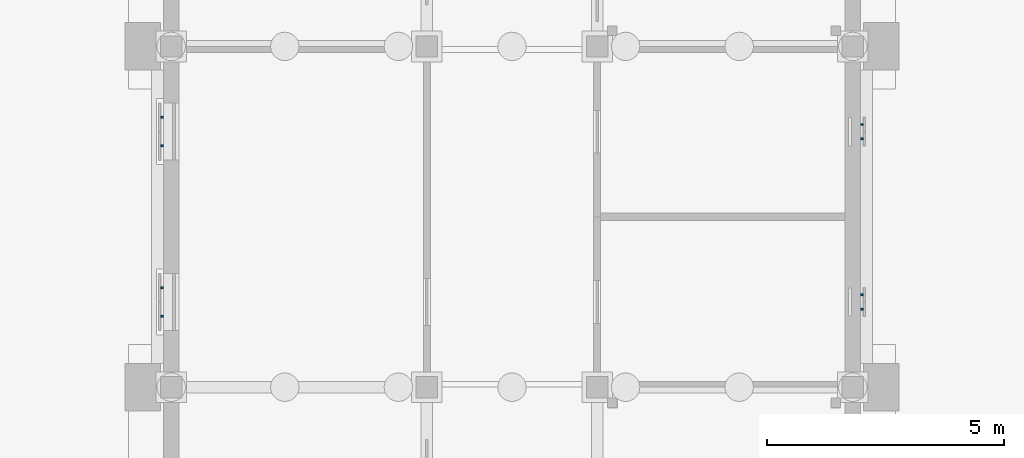
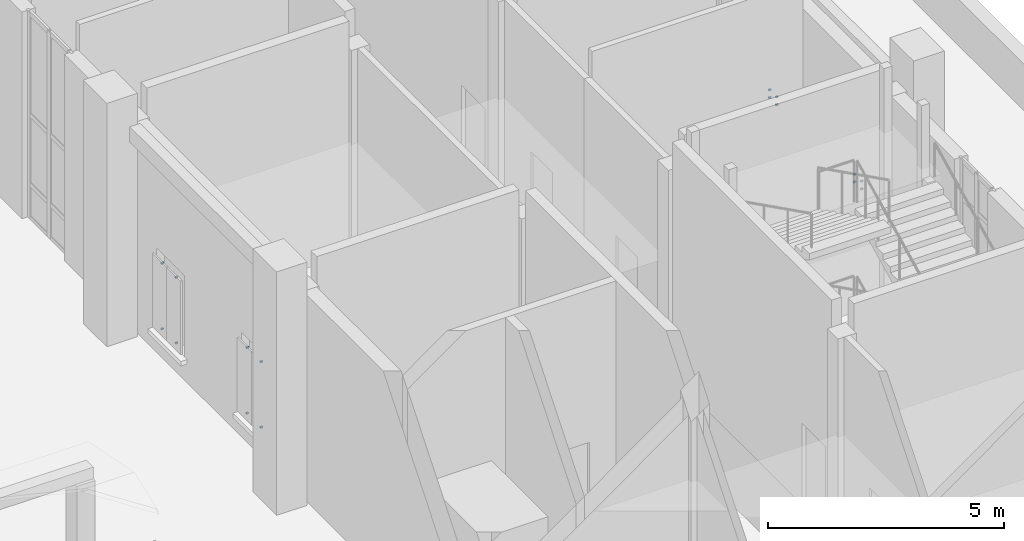
# One storey, part 58 of 84: 16 discrete accessories.
"""IFC4 building model written with IfcOpenShell, lengths in metres."""

from ifc_helpers import new_model, si_unit, direction, frame, origin, origin_2d, place, context, subcontext, project, spatial, rectangle, extrude, material, type_object, element, save


model = new_model("IFC4")

# Units and contexts
model_context = context("Model", 3, precision=1e-05, world=origin(), true_north=direction((0.0, 1.0)))
body_context = subcontext(model_context, "Body", "Model", "MODEL_VIEW")
ifc_project = project(units=[si_unit("LENGTHUNIT", "METRE"), si_unit("AREAUNIT", "SQUARE_METRE"), si_unit("VOLUMEUNIT", "CUBIC_METRE"), si_unit("PLANEANGLEUNIT", "RADIAN"), si_unit("MASSUNIT", "GRAM", prefix="KILO")], contexts=[model_context])

# Site, building, storey
site_placement = place(None, origin())
site = spatial("IfcSite", under=ifc_project, at=site_placement, CompositionType="ELEMENT")
building_placement = place(site_placement, origin())
building = spatial("IfcBuilding", under=site, at=building_placement, Name="Mazhai Court Health Centre", CompositionType="ELEMENT")
storey_placement = place(building_placement, origin())
storey = spatial("IfcBuildingStorey", under=building, at=storey_placement, Name="L00", CompositionType="ELEMENT", Elevation=0.0)

# Discrete accessories
ifc_material = material(Name="Steel IS 2062 E250", Category="steel")
discrete_accessory_type = type_object("IfcDiscreteAccessoryType", Name="BRACKET 40", PredefinedType="BRACKET", material=ifc_material)
for number, where, z_axis, x_axis, name in (
    (1, (135.60498046875, 36.5, 0.780029296875), (0.0, 0.0, 1.0), (0.0, 1.0, 0.0), "BR-V6-L00-A40a0"),
    (2, (135.60498046875, 36.5, 2.47998046875), (0.0, 0.0, 1.0), (0.0, 1.0, 0.0), "BR-V6-L00-A40a1"),
    (3, (135.60498046875, 37.10009765625, 0.780029296875), (0.0, 0.0, 1.0), (0.0, 1.0, 0.0), "BR-V6-L00-A40b0"),
    (4, (135.60498046875, 37.10009765625, 2.47998046875), (0.0, 0.0, 1.0), (0.0, 1.0, 0.0), "BR-V6-L00-A40b1"),
    (5, (135.60498046875, 40.10009765625, 0.780029296875), (0.0, 0.0, 1.0), (0.0, 1.0, 0.0), "BR-V6-L00-A41a0"),
    (6, (135.60498046875, 40.10009765625, 2.47998046875), (0.0, 0.0, 1.0), (0.0, 1.0, 0.0), "BR-V6-L00-A41a1"),
    (7, (135.60498046875, 40.699951171875, 0.780029296875), (0.0, 0.0, 1.0), (0.0, 1.0, 0.0), "BR-V6-L00-A41b0"),
    (8, (135.60498046875, 40.699951171875, 2.47998046875), (0.0, 0.0, 1.0), (0.0, 1.0, 0.0), "BR-V6-L00-A41b1"),
    (9, (150.39501953125, 36.64990234375, 1.679931640625), (0.0, 0.0, 1.0), (0.0, 1.0, 0.0), "BR-V6-L00-B40a0"),
    (10, (150.39501953125, 36.64990234375, 1.8798828125), (0.0, 0.0, 1.0), (0.0, 1.0, 0.0), "BR-V6-L00-B40a1"),
    (11, (150.39501953125, 36.949951171875, 1.679931640625), (0.0, 0.0, 1.0), (0.0, 1.0, 0.0), "BR-V6-L00-B40b0"),
    (12, (150.39501953125, 36.949951171875, 1.8798828125), (0.0, 0.0, 1.0), (0.0, 1.0, 0.0), "BR-V6-L00-B40b1"),
    (13, (150.39501953125, 40.25, 1.679931640625), (0.0, 0.0, 1.0), (0.0, 1.0, 0.0), "BR-V6-L00-B41a0"),
    (14, (150.39501953125, 40.25, 1.8798828125), (0.0, 0.0, 1.0), (0.0, 1.0, 0.0), "BR-V6-L00-B41a1"),
    (15, (150.39501953125, 40.550048828125, 1.679931640625), (0.0, 0.0, 1.0), (0.0, 1.0, 0.0), "BR-V6-L00-B41b0"),
    (16, (150.39501953125, 40.550048828125, 1.8798828125), (0.0, 0.0, 1.0), (0.0, 1.0, 0.0), "BR-V6-L00-B41b1"),
):
    element("IfcDiscreteAccessory", number, at=place(storey_placement, frame(where, z_axis=z_axis, x_axis=x_axis)), inside=storey, type_object=discrete_accessory_type, Name=name, PredefinedType="BRACKET", context=body_context, shape_type="SweptSolid", body=[
        extrude(rectangle(XDim=0.0400390625, YDim=0.06005859375, at=origin_2d()), origin(), (0.0, 0.0, 1.0), 0.0400390625),
    ])

save(model, "model.ifc")
